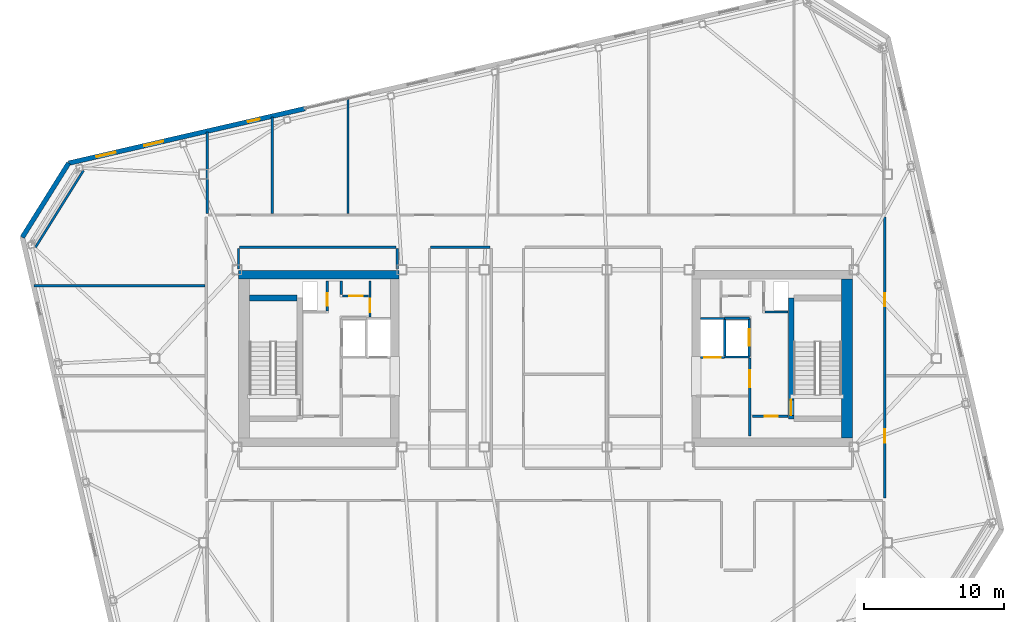
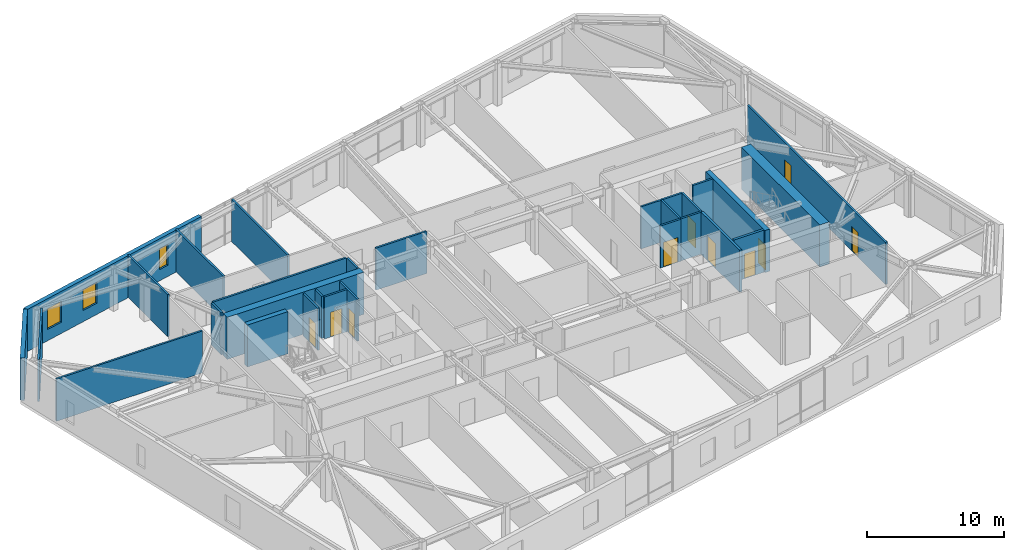
# One storey, part 18 of 23: 29 walls, 10 doors, 3 windows, 13 openings.
"""IFC4 building model written with IfcOpenShell, lengths in metres."""

from ifc_helpers import new_model, si_unit, direction, frame, frame_2d, origin, place, context, subcontext, project, spatial, rectangle, extrude, material, layer, layer_set, type_object, element, fill, save


model = new_model("IFC4")

# Units and contexts
model_context = context("Model", 3, precision=1e-05, world=origin(), true_north=direction((0.0, 1.0)))
body_context = subcontext(model_context, "Body", "Model", "MODEL_VIEW")
ifc_project = project(units=[si_unit("LENGTHUNIT", "METRE"), si_unit("AREAUNIT", "SQUARE_METRE"), si_unit("VOLUMEUNIT", "CUBIC_METRE"), si_unit("PLANEANGLEUNIT", "RADIAN"), si_unit("MASSUNIT", "GRAM", prefix="KILO")], contexts=[model_context])

# Site, building, storey
site_placement = place(None, origin())
site = spatial("IfcSite", under=ifc_project, at=site_placement, CompositionType="ELEMENT")
building_placement = place(site_placement, origin())
building = spatial("IfcBuilding", under=site, at=building_placement, Name="Tavrogorsk Clinical Tower", CompositionType="ELEMENT")
storey_placement = place(building_placement, frame((0.0, 0.0, 297.0)))
storey = spatial("IfcBuildingStorey", under=building, at=storey_placement, Name="L69", CompositionType="ELEMENT", Elevation=297.0)

# Wall, opening, door
ifc_material_1 = material(Name="Concrete B60", Category="concrete")
ifc_layer_1 = layer(ifc_material_1, 0.199951171875)
ifc_layer_set_1 = layer_set([ifc_layer_1], Name="Concrete B60")
wall_type_1 = type_object("IfcWallType", Name="CoreFireWall_200", PredefinedType="SOLIDWALL", material=ifc_layer_set_1)
wall_1_placement = place(storey_placement, frame((14.824951171875, -4.139892578125, 0.0), z_axis=(0.0, 0.0, 1.0), x_axis=(1.0, 0.0, 0.0)))
wall_1 = element("IfcWall", 1, at=wall_1_placement, inside=storey, type_object=wall_type_1, Name="L69 Core East South Core Room Fire Wall", PredefinedType="SOLIDWALL", context=body_context, shape_type="SweptSolid", body=[
    extrude(rectangle(XDim=2.554931640625, YDim=0.199951171875, at=frame_2d((1.27734375, 0.0))), origin(), (0.0, 0.0, 1.0), 3.739990234375),
])
opening_1_placement = place(wall_1_placement, frame((0.8798828125, 0.0, 0.0)))
opening_1 = element("IfcOpeningElement", 2, at=opening_1_placement, cuts=wall_1, Name="Opening ID-02", PredefinedType="OPENING", context=body_context, shape_type="SweptSolid", body=[
    extrude(rectangle(XDim=0.949951171875, YDim=2.199951171875, at=frame_2d((0.47509765625, 1.10009765625))), frame((0.0, 0.10986328125, 0.0), z_axis=(0.0, -1.0, 0.0), x_axis=(1.0, 0.0, 0.0)), (0.0, 0.0, 1.0), 0.219970703125),
])
ifc_material_2 = material(Name="Laminated timber leaf on aluminium frame", Category="wood")
door_type_1 = type_object("IfcDoorType", Name="InteriorDoor_ID02_950", OperationType="NOTDEFINED", PredefinedType="DOOR", material=ifc_material_2)
door_1_placement = place(opening_1_placement, origin())
door_1 = element("IfcDoor", 3, at=door_1_placement, inside=storey, type_object=door_type_1, Name="L69 Core East South Core Room Door", OperationType="SINGLE_SWING_RIGHT", OverallHeight=2.199951171875, OverallWidth=0.949951171875, PredefinedType="DOOR", context=body_context, shape_type="SweptSolid", body=[
    extrude(rectangle(XDim=0.949951171875, YDim=2.199951171875, at=frame_2d((0.47509765625, 1.10009765625))), frame((0.0, 0.02490234375, 0.0), z_axis=(0.0, -1.0, 0.0), x_axis=(1.0, 0.0, 0.0)), (0.0, 0.0, 1.0), 0.050048828125),
])
fill(opening_1, door_1)

wall_2_placement = place(storey_placement, frame((14.639892578125, -5.56005859375, 0.0), z_axis=(0.0, 0.0, 1.0), x_axis=(0.0, 1.0, 0.0)))
wall_2 = element("IfcWall", 4, at=wall_2_placement, inside=storey, type_object=wall_type_1, Name="L69 Core East Firefighting Lobby Fire Wall", PredefinedType="SOLIDWALL", context=body_context, shape_type="SweptSolid", body=[
    extrude(rectangle(XDim=5.60009765625, YDim=0.199951171875, at=frame_2d((2.800048828125, 0.0))), origin(), (0.0, 0.0, 1.0), 3.739990234375),
])
opening_2_placement = place(wall_2_placement, frame((3.510009765625, 0.0, 0.0)))
opening_2 = element("IfcOpeningElement", 5, at=opening_2_placement, cuts=wall_2, Name="Opening FD-01", PredefinedType="OPENING", context=body_context, shape_type="SweptSolid", body=[
    extrude(rectangle(XDim=1.199951171875, YDim=2.199951171875, at=frame_2d((0.60009765625, 1.10009765625))), frame((0.0, 0.10986328125, 0.0), z_axis=(0.0, -1.0, 0.0), x_axis=(1.0, 0.0, 0.0)), (0.0, 0.0, 1.0), 0.219970703125),
])
ifc_material_3 = material(Name="Galvanised steel fire-rated door assembly", Category="steel")
door_type_2 = type_object("IfcDoorType", Name="FireDoor_FD01_1200", OperationType="NOTDEFINED", PredefinedType="DOOR", material=ifc_material_3)
door_2_placement = place(opening_2_placement, origin())
door_2 = element("IfcDoor", 6, at=door_2_placement, inside=storey, type_object=door_type_2, Name="L69 Core East Firefighting Lobby Entry Door", OperationType="SINGLE_SWING_RIGHT", OverallHeight=2.199951171875, OverallWidth=1.199951171875, PredefinedType="DOOR", context=body_context, shape_type="SweptSolid", body=[
    extrude(rectangle(XDim=1.199951171875, YDim=2.199951171875, at=frame_2d((0.60009765625, 1.10009765625))), frame((0.0, 0.02490234375, 0.0), z_axis=(0.0, -1.0, 0.0), x_axis=(1.0, 0.0, 0.0)), (0.0, 0.0, 1.0), 0.050048828125),
])
fill(opening_2, door_2)

ifc_material_4 = material(Name="Lightweight concrete blockwork B15", Category="masonry")
ifc_layer_2 = layer(ifc_material_4, 0.159912109375)
ifc_layer_set_2 = layer_set([ifc_layer_2], Name="Lightweight concrete blockwork B15")
wall_type_2 = type_object("IfcWallType", Name="PartitionWall_160", PredefinedType="PARTITIONING", material=ifc_layer_set_2)
wall_3_placement = place(storey_placement, frame((-12.580078125, 2.9599609375, 0.0), z_axis=(0.0, 0.0, 1.0), x_axis=(0.0, 1.0, 0.0)))
wall_3 = element("IfcWall", 7, at=wall_3_placement, inside=storey, type_object=wall_type_2, Name="L69 Core West Linen Closet Wall", PredefinedType="PARTITIONING", context=body_context, shape_type="SweptSolid", body=[
    extrude(rectangle(XDim=2.60009765625, YDim=0.159912109375, at=frame_2d((1.300048828125, 0.0))), origin(), (0.0, 0.0, 1.0), 3.739990234375),
])
opening_3_placement = place(wall_3_placement, frame((0.35009765625, 0.0, 0.0)))
opening_3 = element("IfcOpeningElement", 8, at=opening_3_placement, cuts=wall_3, Name="Opening ID-02", PredefinedType="OPENING", context=body_context, shape_type="SweptSolid", body=[
    extrude(rectangle(XDim=0.949951171875, YDim=2.199951171875, at=frame_2d((0.47509765625, 1.10009765625))), frame((0.0, 0.08984375, 0.0), z_axis=(0.0, -1.0, 0.0), x_axis=(1.0, 0.0, 0.0)), (0.0, 0.0, 1.0), 0.179931640625),
])
door_3_placement = place(opening_3_placement, origin())
door_3 = element("IfcDoor", 9, at=door_3_placement, inside=storey, type_object=door_type_1, Name="L69 Core West Linen Closet Door", OperationType="SINGLE_SWING_RIGHT", OverallHeight=2.199951171875, OverallWidth=0.949951171875, PredefinedType="DOOR", context=body_context, shape_type="SweptSolid", body=[
    extrude(rectangle(XDim=0.949951171875, YDim=2.199951171875, at=frame_2d((0.47509765625, 1.10009765625))), frame((0.0, 0.02490234375, 0.0), z_axis=(0.0, -1.0, 0.0), x_axis=(1.0, 0.0, 0.0)), (0.0, 0.0, 1.0), 0.050048828125),
])
fill(opening_3, door_3)

wall_4_placement = place(storey_placement, frame((-14.554931640625, 4.47998046875, 0.0), z_axis=(0.0, 0.0, 1.0), x_axis=(1.0, 0.0, 0.0)))
wall_4 = element("IfcWall", 10, at=wall_4_placement, inside=storey, type_object=wall_type_2, Name="L69 Core West Housekeeping South Wall", PredefinedType="PARTITIONING", context=body_context, shape_type="SweptSolid", body=[
    extrude(rectangle(XDim=1.889892578125, YDim=0.159912109375, at=frame_2d((0.94482421875, 0.0))), origin(), (0.0, 0.0, 1.0), 3.739990234375),
])
opening_4_placement = place(wall_4_placement, frame((0.5, 0.0, 0.0)))
opening_4 = element("IfcOpeningElement", 11, at=opening_4_placement, cuts=wall_4, Name="Opening ID-02", PredefinedType="OPENING", context=body_context, shape_type="SweptSolid", body=[
    extrude(rectangle(XDim=0.949951171875, YDim=2.199951171875, at=frame_2d((0.47509765625, 1.10009765625))), frame((0.0, 0.08984375, 0.0), z_axis=(0.0, -1.0, 0.0), x_axis=(1.0, 0.0, 0.0)), (0.0, 0.0, 1.0), 0.179931640625),
])
door_4_placement = place(opening_4_placement, origin())
door_4 = element("IfcDoor", 12, at=door_4_placement, inside=storey, type_object=door_type_1, Name="L69 Core West Housekeeping Closet Door", OperationType="SINGLE_SWING_LEFT", OverallHeight=2.199951171875, OverallWidth=0.949951171875, PredefinedType="DOOR", context=body_context, shape_type="SweptSolid", body=[
    extrude(rectangle(XDim=0.949951171875, YDim=2.199951171875, at=frame_2d((0.47509765625, 1.10009765625))), frame((0.0, 0.02490234375, 0.0), z_axis=(0.0, -1.0, 0.0), x_axis=(1.0, 0.0, 0.0)), (0.0, 0.0, 1.0), 0.050048828125),
])
fill(opening_4, door_4)

# Walls
wall_5_placement = place(storey_placement, frame((-14.639892578125, 4.56494140625, 0.0), z_axis=(0.0, 0.0, 1.0), x_axis=(0.0, 1.0, 0.0)))
element("IfcWall", 13, at=wall_5_placement, inside=storey, type_object=wall_type_2, Name="L69 Core West Housekeeping East Wall", PredefinedType="PARTITIONING", context=body_context, shape_type="SweptSolid", body=[
    extrude(rectangle(XDim=0.9951171875, YDim=0.159912109375, at=frame_2d((0.49755859375, 0.0))), origin(), (0.0, 0.0, 1.0), 3.739990234375),
])
wall_6_placement = place(storey_placement, frame((-33.10009765625, 13.464599609375, 0.0), z_axis=(0.0, 0.0, 1.0), x_axis=(-0.529958457806, -0.848023604035, 0.0)))
element("IfcWall", 14, at=wall_6_placement, inside=storey, type_object=wall_type_2, Name="L69 Corner Exoskeleton Brace Furring Wall 3", PredefinedType="PARTITIONING", context=body_context, shape_type="SweptSolid", body=[
    extrude(rectangle(XDim=6.505126953125, YDim=0.159912109375, at=frame_2d((3.25244140625, 0.0))), origin(), (0.0, 0.0, 1.0), 3.739990234375),
])

# Wall, openings, doors
wall_7_placement = place(storey_placement, frame((24.31005859375, 10.114990234375, 0.0), z_axis=(0.0, 0.0, 1.0), x_axis=(0.0, -1.0, 0.0)))
wall_7 = element("IfcWall", 15, at=wall_7_placement, inside=storey, type_object=wall_type_2, Name="L69 Corridor Partition 03", PredefinedType="PARTITIONING", context=body_context, shape_type="SweptSolid", body=[
    extrude(rectangle(XDim=20.1298828125, YDim=0.159912109375, at=frame_2d((10.06494140625, 0.0))), origin(), (0.0, 0.0, 1.0), 3.739990234375),
])
opening_5_placement = place(wall_7_placement, frame((15.205810546875, 0.0, 0.0)))
opening_5 = element("IfcOpeningElement", 16, at=opening_5_placement, cuts=wall_7, Name="Opening ID-02", PredefinedType="OPENING", context=body_context, shape_type="SweptSolid", body=[
    extrude(rectangle(XDim=0.949951171875, YDim=2.199951171875, at=frame_2d((0.47509765625, 1.10009765625))), frame((0.0, 0.08984375, 0.0), z_axis=(0.0, -1.0, 0.0), x_axis=(1.0, 0.0, 0.0)), (0.0, 0.0, 1.0), 0.179931640625),
])
opening_6_placement = place(wall_7_placement, frame((5.444091796875, 0.0, 0.0)))
opening_6 = element("IfcOpeningElement", 17, at=opening_6_placement, cuts=wall_7, Name="Opening ID-02", PredefinedType="OPENING", context=body_context, shape_type="SweptSolid", body=[
    extrude(rectangle(XDim=0.949951171875, YDim=2.199951171875, at=frame_2d((0.47509765625, 1.10009765625))), frame((0.0, 0.08984375, 0.0), z_axis=(0.0, -1.0, 0.0), x_axis=(1.0, 0.0, 0.0)), (0.0, 0.0, 1.0), 0.179931640625),
])
door_5_placement = place(opening_5_placement, origin())
door_5 = element("IfcDoor", 18, at=door_5_placement, inside=storey, type_object=door_type_1, Name="L69 E Senior Clinician Suite 1 Door", OperationType="SINGLE_SWING_RIGHT", OverallHeight=2.199951171875, OverallWidth=0.949951171875, PredefinedType="DOOR", context=body_context, shape_type="SweptSolid", body=[
    extrude(rectangle(XDim=0.949951171875, YDim=2.199951171875, at=frame_2d((0.47509765625, 1.10009765625))), frame((0.0, 0.02490234375, 0.0), z_axis=(0.0, -1.0, 0.0), x_axis=(1.0, 0.0, 0.0)), (0.0, 0.0, 1.0), 0.050048828125),
])
fill(opening_5, door_5)
door_6_placement = place(opening_6_placement, origin())
door_6 = element("IfcDoor", 19, at=door_6_placement, inside=storey, type_object=door_type_1, Name="L69 E Multidisciplinary Seminar Suite 2 Door", OperationType="SINGLE_SWING_LEFT", OverallHeight=2.199951171875, OverallWidth=0.949951171875, PredefinedType="DOOR", context=body_context, shape_type="SweptSolid", body=[
    extrude(rectangle(XDim=0.949951171875, YDim=2.199951171875, at=frame_2d((0.47509765625, 1.10009765625))), frame((0.0, 0.02490234375, 0.0), z_axis=(0.0, -1.0, 0.0), x_axis=(1.0, 0.0, 0.0)), (0.0, 0.0, 1.0), 0.050048828125),
])
fill(opening_6, door_6)

# Walls
wall_8_placement = place(storey_placement, frame((-3.965087890625, 7.969970703125, 0.0), z_axis=(0.0, 0.0, 1.0), x_axis=(-1.0, 0.0, 0.0)))
element("IfcWall", 20, at=wall_8_placement, inside=storey, type_object=wall_type_2, Name="L69 Corridor Partition 20", PredefinedType="PARTITIONING", context=body_context, shape_type="SweptSolid", body=[
    extrude(rectangle(XDim=4.27001953125, YDim=0.159912109375, at=frame_2d((2.135009765625, 0.0))), origin(), (0.0, 0.0, 1.0), 3.739990234375),
])
wall_9_placement = place(storey_placement, frame((-10.6298828125, 6.419921875, 0.0), z_axis=(0.0, 0.0, 1.0), x_axis=(0.0, 1.0, 0.0)))
element("IfcWall", 21, at=wall_9_placement, inside=storey, type_object=wall_type_2, Name="L69 Corridor Partition 24", PredefinedType="PARTITIONING", context=body_context, shape_type="SweptSolid", body=[
    extrude(rectangle(XDim=1.465087890625, YDim=0.159912109375, at=frame_2d((0.732421875, 0.0))), origin(), (0.0, 0.0, 1.0), 3.739990234375),
])
wall_10_placement = place(storey_placement, frame((-10.715087890625, 7.969970703125, 0.0), z_axis=(0.0, 0.0, 1.0), x_axis=(-1.0, 0.0, 0.0)))
element("IfcWall", 22, at=wall_10_placement, inside=storey, type_object=wall_type_2, Name="L69 Corridor Partition 25", PredefinedType="PARTITIONING", context=body_context, shape_type="SweptSolid", body=[
    extrude(rectangle(XDim=11.199951171875, YDim=0.159912109375, at=frame_2d((5.60009765625, 0.0))), origin(), (0.0, 0.0, 1.0), 3.739990234375),
])
wall_11_placement = place(storey_placement, frame((-22.0, 7.885009765625, 0.0), z_axis=(0.0, 0.0, 1.0), x_axis=(0.0, -1.0, 0.0)))
element("IfcWall", 23, at=wall_11_placement, inside=storey, type_object=wall_type_2, Name="L69 Corridor Partition 26", PredefinedType="PARTITIONING", context=body_context, shape_type="SweptSolid", body=[
    extrude(rectangle(XDim=1.465087890625, YDim=0.159912109375, at=frame_2d((0.732421875, 0.0))), origin(), (0.0, 0.0, 1.0), 3.739990234375),
])
wall_12_placement = place(storey_placement, frame((-24.22998046875, 10.364990234375, 0.0), z_axis=(0.0, 0.0, 1.0), x_axis=(0.0, 1.0, 0.0)))
element("IfcWall", 24, at=wall_12_placement, inside=storey, type_object=wall_type_2, Name="L69 NW Wing Closure Partition", PredefinedType="PARTITIONING", context=body_context, shape_type="SweptSolid", body=[
    extrude(rectangle(XDim=5.845947265625, YDim=0.159912109375, at=frame_2d((2.9228515625, 0.0))), origin(), (0.0, 0.0, 1.0), 3.739990234375),
])
wall_13_placement = place(storey_placement, frame((-19.580078125, 10.364990234375, 0.0), z_axis=(0.0, 0.0, 1.0), x_axis=(0.0, 1.0, 0.0)))
element("IfcWall", 25, at=wall_13_placement, inside=storey, type_object=wall_type_2, Name="L69 North Room Partition 1", PredefinedType="PARTITIONING", context=body_context, shape_type="SweptSolid", body=[
    extrude(rectangle(XDim=6.91943359375, YDim=0.159912109375, at=frame_2d((3.459716796875, 0.0))), origin(), (0.0, 0.0, 1.0), 3.739990234375),
])
wall_14_placement = place(storey_placement, frame((-14.159912109375, 10.364990234375, 0.0), z_axis=(0.0, 0.0, 1.0), x_axis=(0.0, 1.0, 0.0)))
element("IfcWall", 26, at=wall_14_placement, inside=storey, type_object=wall_type_2, Name="L69 North Room Partition 2", PredefinedType="PARTITIONING", context=body_context, shape_type="SweptSolid", body=[
    extrude(rectangle(XDim=8.1708984375, YDim=0.159912109375, at=frame_2d((4.08544921875, 0.0))), origin(), (0.0, 0.0, 1.0), 3.739990234375),
])
wall_15_placement = place(storey_placement, frame((-36.662841796875, 5.199951171875, 0.0), z_axis=(0.0, 0.0, 1.0), x_axis=(1.0, 0.0, 0.0)))
element("IfcWall", 27, at=wall_15_placement, inside=storey, type_object=wall_type_2, Name="L69 W Wing Divider 3", PredefinedType="PARTITIONING", context=body_context, shape_type="SweptSolid", body=[
    extrude(rectangle(XDim=12.267822265625, YDim=0.159912109375, at=frame_2d((6.1337890625, 0.0))), origin(), (0.0, 0.0, 1.0), 3.739990234375),
])

# Wall, openings, windows
ifc_material_5 = material(Name="Precast concrete B45 with limestone cladding", Category="masonry")
ifc_layer_3 = layer(ifc_material_5, 0.340087890625)
ifc_layer_set_3 = layer_set([ifc_layer_3], Name="Precast concrete B45 with limestone cladding")
wall_type_3 = type_object("IfcWallType", Name="PrecastLimestoneWall_340", PredefinedType="STANDARD", material=ifc_layer_set_3)
wall_16_placement = place(storey_placement, frame((-17.2451171875, 17.895263671875, 0.0), z_axis=(0.0, 0.0, 1.0), x_axis=(-0.97437318493, -0.224937539085, 0.0)))
wall_16 = element("IfcWall", 28, at=wall_16_placement, inside=storey, type_object=wall_type_3, Name="L69 N Limestone Facade Wall 3", PredefinedType="STANDARD", context=body_context, shape_type="SweptSolid", body=[
    extrude(rectangle(XDim=17.365966796875, YDim=0.340087890625, at=frame_2d((8.68310546875, 0.0))), origin(), (0.0, 0.0, 1.0), 3.739990234375),
])
opening_7_placement = place(wall_16_placement, frame((13.924560546875, 0.0, 1.0)))
opening_7 = element("IfcOpeningElement", 29, at=opening_7_placement, cuts=wall_16, Name="Opening WN-17", PredefinedType="OPENING", context=body_context, shape_type="SweptSolid", body=[
    extrude(rectangle(XDim=1.39990234375, YDim=1.85009765625, at=frame_2d((0.699951171875, 0.925048828125))), frame((0.0, 0.179931640625, 0.0), z_axis=(0.0, -1.0, 0.0), x_axis=(1.0, 0.0, 0.0)), (0.0, 0.0, 1.0), 0.360107421875),
])
opening_8_placement = place(wall_16_placement, frame((10.412841796875, 0.0, 1.0)))
opening_8 = element("IfcOpeningElement", 30, at=opening_8_placement, cuts=wall_16, Name="Opening WN-17", PredefinedType="OPENING", context=body_context, shape_type="SweptSolid", body=[
    extrude(rectangle(XDim=1.39990234375, YDim=1.85009765625, at=frame_2d((0.699951171875, 0.925048828125))), frame((0.0, 0.179931640625, 0.0), z_axis=(0.0, -1.0, 0.0), x_axis=(1.0, 0.0, 0.0)), (0.0, 0.0, 1.0), 0.360107421875),
])
opening_9_placement = place(wall_16_placement, frame((3.32861328125, 0.0, 1.0)))
opening_9 = element("IfcOpeningElement", 31, at=opening_9_placement, cuts=wall_16, Name="Opening WN-06", PredefinedType="OPENING", context=body_context, shape_type="SweptSolid", body=[
    extrude(rectangle(XDim=0.85009765625, YDim=1.85009765625, at=frame_2d((0.425048828125, 0.925048828125))), frame((0.0, 0.179931640625, 0.0), z_axis=(0.0, -1.0, 0.0), x_axis=(1.0, 0.0, 0.0)), (0.0, 0.0, 1.0), 0.360107421875),
])
ifc_material_6 = material(Name="Thermally broken aluminium frame and triple IGU", Category="aluminium")
window_type_1 = type_object("IfcWindowType", Name="MullionSubWin_850x1850", PartitioningType="SINGLE_PANEL", PredefinedType="WINDOW", material=ifc_material_6)
window_1_placement = place(opening_9_placement, origin())
window_1 = element("IfcWindow", 32, at=window_1_placement, inside=storey, type_object=window_type_1, Name="L69 N Mullion Split Window 04B", OverallHeight=1.85009765625, OverallWidth=0.85009765625, PartitioningType="SINGLE_PANEL", PredefinedType="WINDOW", context=body_context, shape_type="SweptSolid", body=[
    extrude(rectangle(XDim=0.85009765625, YDim=1.85009765625, at=frame_2d((0.425048828125, 0.925048828125))), frame((0.0, 0.030029296875, 0.0), z_axis=(0.0, -1.0, 0.0), x_axis=(1.0, 0.0, 0.0)), (0.0, 0.0, 1.0), 0.06005859375),
])
fill(opening_9, window_1)
ifc_material_7 = material(Name="Thermally broken aluminium frame and triple IGU", Category="aluminium")
window_type_2 = type_object("IfcWindowType", Name="TelemetryWin_1400x1850", PartitioningType="SINGLE_PANEL", PredefinedType="WINDOW", material=ifc_material_7)
window_2_placement = place(opening_7_placement, origin())
window_2 = element("IfcWindow", 33, at=window_2_placement, inside=storey, type_object=window_type_2, Name="L69 N Chicago Window 01", OverallHeight=1.85009765625, OverallWidth=1.39990234375, PartitioningType="SINGLE_PANEL", PredefinedType="WINDOW", context=body_context, shape_type="SweptSolid", body=[
    extrude(rectangle(XDim=1.39990234375, YDim=1.85009765625, at=frame_2d((0.699951171875, 0.925048828125))), frame((0.0, 0.030029296875, 0.0), z_axis=(0.0, -1.0, 0.0), x_axis=(1.0, 0.0, 0.0)), (0.0, 0.0, 1.0), 0.06005859375),
])
fill(opening_7, window_2)
window_3_placement = place(opening_8_placement, origin())
window_3 = element("IfcWindow", 34, at=window_3_placement, inside=storey, type_object=window_type_2, Name="L69 N Chicago Window 02", OverallHeight=1.85009765625, OverallWidth=1.39990234375, PartitioningType="SINGLE_PANEL", PredefinedType="WINDOW", context=body_context, shape_type="SweptSolid", body=[
    extrude(rectangle(XDim=1.39990234375, YDim=1.85009765625, at=frame_2d((0.699951171875, 0.925048828125))), frame((0.0, 0.030029296875, 0.0), z_axis=(0.0, -1.0, 0.0), x_axis=(1.0, 0.0, 0.0)), (0.0, 0.0, 1.0), 0.06005859375),
])
fill(opening_8, window_3)

# Wall
wall_17_placement = place(storey_placement, frame((-34.165771484375, 13.989013671875, 0.0), z_axis=(0.0, 0.0, 1.0), x_axis=(-0.529935887993, -0.848037708252, 0.0)))
element("IfcWall", 35, at=wall_17_placement, inside=storey, type_object=wall_type_3, Name="L69 Chamfered Corner Wall 3", PredefinedType="STANDARD", context=body_context, shape_type="SweptSolid", body=[
    extrude(rectangle(XDim=6.26513671875, YDim=0.340087890625, at=frame_2d((3.132568359375, 0.0))), origin(), (0.0, 0.0, 1.0), 3.739990234375),
])

# Wall, opening, door
ifc_material_8 = material(Name="Lightweight concrete blockwork B25", Category="masonry")
ifc_layer_4 = layer(ifc_material_8, 0.159912109375)
ifc_layer_set_4 = layer_set([ifc_layer_4], Name="Lightweight concrete blockwork B25")
wall_type_4 = type_object("IfcWallType", Name="ShaftWall_160", PredefinedType="PARTITIONING", material=ifc_layer_set_4)
wall_18_placement = place(storey_placement, frame((14.60009765625, 0.1201171875, 0.0), z_axis=(0.0, 0.0, 1.0), x_axis=(0.0, 1.0, 0.0)))
wall_18 = element("IfcWall", 36, at=wall_18_placement, inside=storey, type_object=wall_type_4, Name="L69 FFL-E Firefighting Lift Front Wall", PredefinedType="PARTITIONING", context=body_context, shape_type="SweptSolid", body=[
    extrude(rectangle(XDim=2.739990234375, YDim=0.159912109375, at=frame_2d((1.3701171875, 0.0))), origin(), (0.0, 0.0, 1.0), 3.739990234375),
])
opening_10_placement = place(wall_18_placement, frame((0.77001953125, 0.0, 0.0)))
opening_10 = element("IfcOpeningElement", 37, at=opening_10_placement, cuts=wall_18, Name="Opening LD", PredefinedType="OPENING", context=body_context, shape_type="SweptSolid", body=[
    extrude(rectangle(XDim=1.199951171875, YDim=2.199951171875, at=frame_2d((0.60009765625, 1.10009765625))), frame((0.0, 0.08984375, 0.0), z_axis=(0.0, -1.0, 0.0), x_axis=(1.0, 0.0, 0.0)), (0.0, 0.0, 1.0), 0.179931640625),
])
ifc_material_9 = material(Name="Brushed stainless steel AISI 304 sliding doors", Category="steel")
door_type_3 = type_object("IfcDoorType", Name="LiftLandingDoor_LD_1200", OperationType="SLIDING_TO_LEFT", PredefinedType="DOOR", material=ifc_material_9)
door_7_placement = place(opening_10_placement, origin())
door_7 = element("IfcDoor", 38, at=door_7_placement, inside=storey, type_object=door_type_3, Name="L69 FFL-E Sliding Lift Landing Door", OperationType="SLIDING_TO_LEFT", OverallHeight=2.199951171875, OverallWidth=1.199951171875, PredefinedType="DOOR", context=body_context, shape_type="SweptSolid", body=[
    extrude(rectangle(XDim=1.199951171875, YDim=2.199951171875, at=frame_2d((0.60009765625, 1.10009765625))), frame((0.0, 0.02490234375, 0.0), z_axis=(0.0, -1.0, 0.0), x_axis=(1.0, 0.0, 0.0)), (0.0, 0.0, 1.0), 0.050048828125),
])
fill(opening_10, door_7)

# Walls
for number, where, z_axis, x_axis, name in (
    (39, (12.840087890625, 0.10009765625, 0.0), (0.0, 0.0, 1.0), (1.0, 0.0, 0.0), "L69 FFL-E Shaft South Wall"),
    (40, (12.840087890625, 2.8798828125, 0.0), (0.0, 0.0, 1.0), (1.0, 0.0, 0.0), "L69 FFL-E Shaft North Wall"),
):
    element("IfcWall", number, at=place(storey_placement, frame(where, z_axis=z_axis, x_axis=x_axis)), inside=storey, type_object=wall_type_4, Name=name, PredefinedType="PARTITIONING", context=body_context, shape_type="SweptSolid", body=[
        extrude(rectangle(XDim=1.760009765625, YDim=0.159912109375, at=frame_2d((0.8798828125, 0.0))), origin(), (0.0, 0.0, 1.0), 3.739990234375),
    ])
wall_19_placement = place(storey_placement, frame((12.840087890625, 0.179931640625, 0.0), z_axis=(0.0, 0.0, 1.0), x_axis=(0.0, 1.0, 0.0)))
element("IfcWall", 41, at=wall_19_placement, inside=storey, type_object=wall_type_4, Name="L69 FFL-E Shaft Back Wall", PredefinedType="PARTITIONING", context=body_context, shape_type="SweptSolid", body=[
    extrude(rectangle(XDim=2.6201171875, YDim=0.159912109375, at=frame_2d((1.31005859375, 0.0))), origin(), (0.0, 0.0, 1.0), 3.739990234375),
])

# Wall, opening, door
wall_20_placement = place(storey_placement, frame((11.10009765625, 0.06005859375, 0.0), z_axis=(0.0, 0.0, 1.0), x_axis=(1.0, 0.0, 0.0)))
wall_20 = element("IfcWall", 42, at=wall_20_placement, inside=storey, type_object=wall_type_4, Name="L69 LP-H2 High-Zone Lift Portal Wall", PredefinedType="PARTITIONING", context=body_context, shape_type="SweptSolid", body=[
    extrude(rectangle(XDim=1.719970703125, YDim=0.159912109375, at=frame_2d((0.85986328125, 0.0))), origin(), (0.0, 0.0, 1.0), 3.739990234375),
])
opening_11_placement = place(wall_20_placement, frame((0.260009765625, 0.0, 0.0)))
opening_11 = element("IfcOpeningElement", 43, at=opening_11_placement, cuts=wall_20, Name="Opening LD", PredefinedType="OPENING", context=body_context, shape_type="SweptSolid", body=[
    extrude(rectangle(XDim=1.199951171875, YDim=2.199951171875, at=frame_2d((0.60009765625, 1.10009765625))), frame((0.0, 0.08984375, 0.0), z_axis=(0.0, -1.0, 0.0), x_axis=(1.0, 0.0, 0.0)), (0.0, 0.0, 1.0), 0.179931640625),
])
door_8_placement = place(opening_11_placement, origin())
door_8 = element("IfcDoor", 44, at=door_8_placement, inside=storey, type_object=door_type_3, Name="L69 LP-H2 Sliding Lift Landing Door", OperationType="SLIDING_TO_LEFT", OverallHeight=2.199951171875, OverallWidth=1.199951171875, PredefinedType="DOOR", context=body_context, shape_type="SweptSolid", body=[
    extrude(rectangle(XDim=1.199951171875, YDim=2.199951171875, at=frame_2d((0.60009765625, 1.10009765625))), frame((0.0, 0.02490234375, 0.0), z_axis=(0.0, -1.0, 0.0), x_axis=(1.0, 0.0, 0.0)), (0.0, 0.0, 1.0), 0.050048828125),
])
fill(opening_11, door_8)

# Wall
wall_21_placement = place(storey_placement, frame((11.10009765625, 2.860107421875, 0.0), z_axis=(0.0, 0.0, 1.0), x_axis=(1.0, 0.0, 0.0)))
element("IfcWall", 45, at=wall_21_placement, inside=storey, type_object=wall_type_4, Name="L69 LP-H2 High-Zone Lift Rear Wall", PredefinedType="PARTITIONING", context=body_context, shape_type="SweptSolid", body=[
    extrude(rectangle(XDim=1.719970703125, YDim=0.159912109375, at=frame_2d((0.85986328125, 0.0))), origin(), (0.0, 0.0, 1.0), 3.739990234375),
])

# Wall, opening, door
wall_22_placement = place(storey_placement, frame((-15.639892578125, 3.405029296875, 0.0), z_axis=(0.0, 0.0, 1.0), x_axis=(0.0, 1.0, 0.0)))
wall_22 = element("IfcWall", 46, at=wall_22_placement, inside=storey, type_object=wall_type_4, Name="L69 Core West Riser West Wall", PredefinedType="PARTITIONING", context=body_context, shape_type="SweptSolid", body=[
    extrude(rectangle(XDim=2.155029296875, YDim=0.159912109375, at=frame_2d((1.07763671875, 0.0))), origin(), (0.0, 0.0, 1.0), 3.739990234375),
])
opening_12_placement = place(wall_22_placement, frame((0.35009765625, 0.0, 0.0)))
opening_12 = element("IfcOpeningElement", 47, at=opening_12_placement, cuts=wall_22, Name="Opening FD-02", PredefinedType="OPENING", context=body_context, shape_type="SweptSolid", body=[
    extrude(rectangle(XDim=0.89990234375, YDim=2.199951171875, at=frame_2d((0.449951171875, 1.10009765625))), frame((0.0, 0.08984375, 0.0), z_axis=(0.0, -1.0, 0.0), x_axis=(1.0, 0.0, 0.0)), (0.0, 0.0, 1.0), 0.179931640625),
])
ifc_material_10 = material(Name="Galvanised steel fire-rated door assembly", Category="steel")
door_type_4 = type_object("IfcDoorType", Name="FireDoor_FD02_900", OperationType="NOTDEFINED", PredefinedType="DOOR", material=ifc_material_10)
door_9_placement = place(opening_12_placement, origin())
door_9 = element("IfcDoor", 48, at=door_9_placement, inside=storey, type_object=door_type_4, Name="L69 Core West Electrical Riser Access Door", OperationType="SINGLE_SWING_LEFT", OverallHeight=2.199951171875, OverallWidth=0.89990234375, PredefinedType="DOOR", context=body_context, shape_type="SweptSolid", body=[
    extrude(rectangle(XDim=0.89990234375, YDim=2.199951171875, at=frame_2d((0.449951171875, 1.10009765625))), frame((0.0, 0.02490234375, 0.0), z_axis=(0.0, -1.0, 0.0), x_axis=(1.0, 0.0, 0.0)), (0.0, 0.0, 1.0), 0.050048828125),
])
fill(opening_12, door_9)

# Walls
wall_23_placement = place(storey_placement, frame((15.72509765625, 3.320068359375, 0.0), z_axis=(0.0, 0.0, 1.0), x_axis=(1.0, 0.0, 0.0)))
element("IfcWall", 49, at=wall_23_placement, inside=storey, type_object=wall_type_4, Name="L69 Core East Riser South Wall", PredefinedType="PARTITIONING", context=body_context, shape_type="SweptSolid", body=[
    extrude(rectangle(XDim=1.65478515625, YDim=0.159912109375, at=frame_2d((0.827392578125, 0.0))), origin(), (0.0, 0.0, 1.0), 3.739990234375),
])
ifc_material_11 = material(Name="Concrete B80", Category="concrete")
ifc_layer_5 = layer(ifc_material_11, 0.39990234375)
ifc_layer_set_5 = layer_set([ifc_layer_5], Name="Concrete B80")
wall_type_5 = type_object("IfcWallType", Name="ShearWall_400", PredefinedType="SHEAR", material=ifc_layer_set_5)
wall_24_placement = place(storey_placement, frame((-21.199951171875, 4.324951171875, 0.0), z_axis=(0.0, 0.0, 1.0), x_axis=(1.0, 0.0, 0.0)))
element("IfcWall", 50, at=wall_24_placement, inside=storey, type_object=wall_type_5, Name="L69 Core West Stair Shaft North Shear Wall", PredefinedType="SHEAR", context=body_context, shape_type="SweptSolid", body=[
    extrude(rectangle(XDim=3.39990234375, YDim=0.39990234375, at=frame_2d((1.699951171875, 0.0))), origin(), (0.0, 0.0, 1.0), 3.739990234375),
])

# Wall, opening, door
wall_25_placement = place(storey_placement, frame((17.60009765625, -4.324951171875, 0.0), z_axis=(0.0, 0.0, 1.0), x_axis=(0.0, 1.0, 0.0)))
wall_25 = element("IfcWall", 51, at=wall_25_placement, inside=storey, type_object=wall_type_5, Name="L69 Core East Stair Shaft Inner Shear Wall", PredefinedType="SHEAR", context=body_context, shape_type="SweptSolid", body=[
    extrude(rectangle(XDim=8.64990234375, YDim=0.39990234375, at=frame_2d((4.324951171875, 0.0))), origin(), (0.0, 0.0, 1.0), 3.739990234375),
])
opening_13_placement = place(wall_25_placement, frame((0.25, 0.0, 0.0)))
opening_13 = element("IfcOpeningElement", 52, at=opening_13_placement, cuts=wall_25, Name="Opening SD-01", PredefinedType="OPENING", context=body_context, shape_type="SweptSolid", body=[
    extrude(rectangle(XDim=1.10009765625, YDim=2.199951171875, at=frame_2d((0.550048828125, 1.10009765625))), frame((0.0, 0.2099609375, 0.0), z_axis=(0.0, -1.0, 0.0), x_axis=(1.0, 0.0, 0.0)), (0.0, 0.0, 1.0), 0.419921875),
])
ifc_material_12 = material(Name="Galvanised steel smoke-tight fire door assembly", Category="steel")
door_type_5 = type_object("IfcDoorType", Name="StairFireDoor_SD01_1100", OperationType="NOTDEFINED", PredefinedType="DOOR", material=ifc_material_12)
door_10_placement = place(opening_13_placement, origin())
door_10 = element("IfcDoor", 53, at=door_10_placement, inside=storey, type_object=door_type_5, Name="L69 ST-E Exit Stair Door", OperationType="SINGLE_SWING_RIGHT", OverallHeight=2.199951171875, OverallWidth=1.10009765625, PredefinedType="DOOR", context=body_context, shape_type="SweptSolid", body=[
    extrude(rectangle(XDim=1.10009765625, YDim=2.199951171875, at=frame_2d((0.550048828125, 1.10009765625))), frame((0.0, 0.02490234375, 0.0), z_axis=(0.0, -1.0, 0.0), x_axis=(1.0, 0.0, 0.0)), (0.0, 0.0, 1.0), 0.050048828125),
])
fill(opening_13, door_10)

# Walls
ifc_material_13 = material(Name="Concrete B80", Category="concrete")
ifc_layer_6 = layer(ifc_material_13, 0.60009765625)
ifc_layer_set_6 = layer_set([ifc_layer_6], Name="Concrete B80")
wall_type_6 = type_object("IfcWallType", Name="ShearWall_600", PredefinedType="SHEAR", material=ifc_layer_set_6)
wall_26_placement = place(storey_placement, frame((-22.0, 6.0, 0.0), z_axis=(0.0, 0.0, 1.0), x_axis=(1.0, 0.0, 0.0)))
element("IfcWall", 54, at=wall_26_placement, inside=storey, type_object=wall_type_6, Name="L69 Core West North Shear Wall", PredefinedType="SHEAR", context=body_context, shape_type="SweptSolid", body=[
    extrude(rectangle(XDim=11.5, YDim=0.60009765625, at=frame_2d((5.75, 0.0))), origin(), (0.0, 0.0, 1.0), 3.739990234375),
])
ifc_material_14 = material(Name="Concrete B80", Category="concrete")
ifc_layer_7 = layer(ifc_material_14, 0.800048828125)
ifc_layer_set_7 = layer_set([ifc_layer_7], Name="Concrete B80")
wall_type_7 = type_object("IfcWallType", Name="ShearWall_800", PredefinedType="SHEAR", material=ifc_layer_set_7)
wall_27_placement = place(storey_placement, frame((21.60009765625, -5.699951171875, 0.0), z_axis=(0.0, 0.0, 1.0), x_axis=(0.0, 1.0, 0.0)))
element("IfcWall", 55, at=wall_27_placement, inside=storey, type_object=wall_type_7, Name="L69 Core East End Shear Wall", PredefinedType="SHEAR", context=body_context, shape_type="SweptSolid", body=[
    extrude(rectangle(XDim=11.39990234375, YDim=0.800048828125, at=frame_2d((5.699951171875, 0.0))), origin(), (0.0, 0.0, 1.0), 3.739990234375),
])

save(model, "model.ifc")
